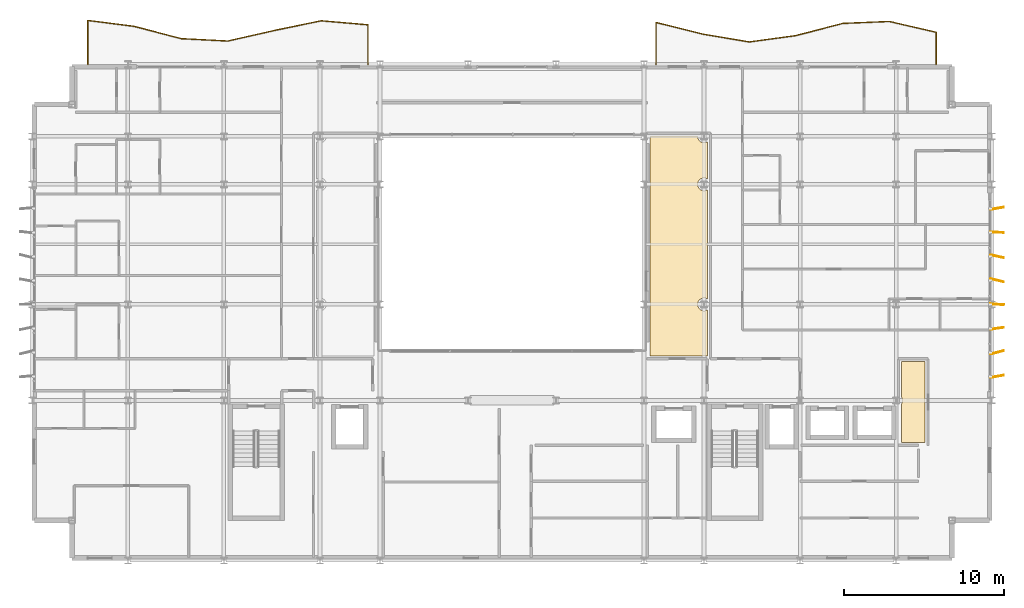
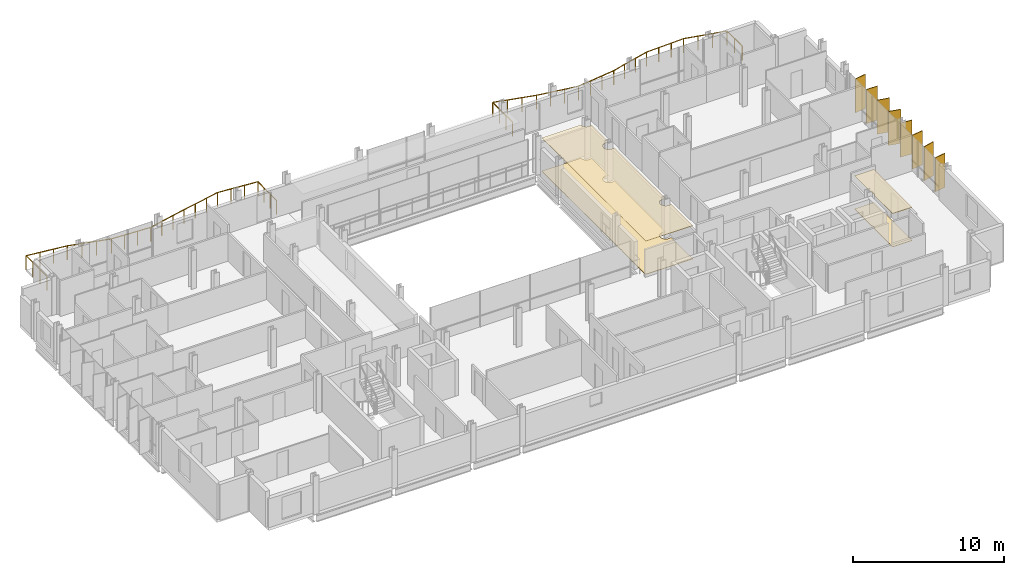
# One storey, part 39 of 39: 8 shading devices, 4 coverings, 2 railings.
"""IFC4 building model written with IfcOpenShell, lengths in metres."""

from ifc_helpers import new_model, si_unit, direction, frame, origin, origin_2d, place, context, subcontext, project, spatial, polyline, rectangle, circle, outline, extrude, material, layer, layer_set, type_object, element, save


model = new_model("IFC4")

# Units and contexts
model_context = context("Model", 3, precision=1e-05, world=origin(), true_north=direction((0.0, 1.0)))
body_context = subcontext(model_context, "Body", "Model", "MODEL_VIEW")
ifc_project = project(units=[si_unit("LENGTHUNIT", "METRE"), si_unit("AREAUNIT", "SQUARE_METRE"), si_unit("VOLUMEUNIT", "CUBIC_METRE"), si_unit("PLANEANGLEUNIT", "RADIAN"), si_unit("MASSUNIT", "GRAM", prefix="KILO")], contexts=[model_context])

# Site, building, storey
site_placement = place(None, origin())
site = spatial("IfcSite", under=ifc_project, at=site_placement, CompositionType="ELEMENT")
building_placement = place(site_placement, origin())
building = spatial("IfcBuilding", under=site, at=building_placement, Name="Brevholm Reach", CompositionType="ELEMENT")
storey_placement = place(building_placement, frame((0.0, 0.0, 154.199951171875)))
storey = spatial("IfcBuildingStorey", under=building, at=storey_placement, Name="L46", CompositionType="ELEMENT", Elevation=154.199951171875)

# Coverings
ifc_material_1 = material(Name="Moisture-Resistant Skimmed Gypsum Plasterboard Ceiling", Category="gypsum")
ifc_layer_1 = layer(ifc_material_1, 0.030029296875)
ifc_layer_set_1 = layer_set([ifc_layer_1], Name="Moisture-Resistant Skimmed Gypsum Plasterboard Ceiling")
covering_type_1 = type_object("IfcCoveringType", Name="COV-CLG-GYP", PredefinedType="CEILING", material=ifc_layer_set_1)
covering_1_placement = place(storey_placement, frame((0.0, 0.0, 2.679931640625)))
element("IfcCovering", 1, at=covering_1_placement, inside=storey, type_object=covering_type_1, Name="L46 Suspended Ceiling L46-25", PredefinedType="CEILING", context=body_context, shape_type="SweptSolid", body=[
    extrude(outline(polyline([(54.330078125, 9.7626953125), (54.33056640625, 9.764892578125), (54.33251953125, 9.777587890625), (54.33251953125, 9.77783203125), (54.352783203125, 9.811279296875), (54.36962890625, 9.846923828125), (54.3828125, 9.8837890625), (54.392333984375, 9.922119140625), (54.398193359375, 9.960693359375), (54.39990234375, 10.0), (54.398193359375, 10.039306640625), (54.392333984375, 10.077880859375), (54.3828125, 10.1162109375), (54.36962890625, 10.153076171875), (54.352783203125, 10.188720703125), (54.333984375, 10.219970703125), (54.333984375, 12.419921875), (55.81591796875, 12.419921875), (55.81591796875, 7.3798828125), (55.437255859375, 7.3798828125), (55.43505859375, 7.380615234375), (55.41748046875, 7.383056640625), (55.39990234375, 7.384033203125), (54.330078125, 7.384033203125), (54.330078125, 9.7626953125)])), origin(), (0.0, 0.0, 1.0), 0.030029296875),
])
covering_2_placement = place(storey_placement, frame((0.0, 0.0, 2.679931640625)))
element("IfcCovering", 2, at=covering_2_placement, inside=storey, type_object=covering_type_1, Name="L46 Suspended Ceiling L46-54", PredefinedType="CEILING", context=body_context, shape_type="SweptSolid", body=[
    extrude(outline(polyline([(38.6298828125, 15.876220703125), (38.6328125, 15.8837890625), (38.642333984375, 15.922119140625), (38.648193359375, 15.960693359375), (38.64990234375, 16.0), (38.648193359375, 16.039306640625), (38.642333984375, 16.077880859375), (38.6328125, 16.1162109375), (38.6298828125, 16.123779296875), (38.6298828125, 23.376220703125), (38.6328125, 23.3837890625), (38.642333984375, 23.422119140625), (38.648193359375, 23.460693359375), (38.64990234375, 23.5), (38.648193359375, 23.539306640625), (38.642333984375, 23.577880859375), (38.6328125, 23.6162109375), (38.6298828125, 23.623779296875), (38.6298828125, 26.376220703125), (38.6328125, 26.3837890625), (38.642333984375, 26.422119140625), (38.648193359375, 26.460693359375), (38.64990234375, 26.5), (38.649169921875, 26.51611328125), (41.600830078125, 26.51611328125), (41.60009765625, 26.5), (41.601806640625, 26.460693359375), (41.607666015625, 26.422119140625), (41.6171875, 26.3837890625), (41.63037109375, 26.346923828125), (41.647216796875, 26.311279296875), (41.66748046875, 26.27783203125), (41.69091796875, 26.24609375), (41.71728515625, 26.21728515625), (41.74609375, 26.19091796875), (41.77783203125, 26.16748046875), (41.811279296875, 26.147216796875), (41.846923828125, 26.13037109375), (41.8837890625, 26.1171875), (41.922119140625, 26.107666015625), (41.960693359375, 26.101806640625), (42.0, 26.10009765625), (42.039306640625, 26.101806640625), (42.077880859375, 26.107666015625), (42.1162109375, 26.1171875), (42.153076171875, 26.13037109375), (42.188720703125, 26.147216796875), (42.216064453125, 26.163818359375), (42.216064453125, 23.836181640625), (42.188720703125, 23.852783203125), (42.153076171875, 23.86962890625), (42.1162109375, 23.8828125), (42.077880859375, 23.892333984375), (42.039306640625, 23.898193359375), (42.0, 23.89990234375), (41.960693359375, 23.898193359375), (41.922119140625, 23.892333984375), (41.8837890625, 23.8828125), (41.846923828125, 23.86962890625), (41.811279296875, 23.852783203125), (41.77783203125, 23.83251953125), (41.74609375, 23.80908203125), (41.71728515625, 23.78271484375), (41.69091796875, 23.75390625), (41.66748046875, 23.72216796875), (41.647216796875, 23.688720703125), (41.63037109375, 23.653076171875), (41.6171875, 23.6162109375), (41.607666015625, 23.577880859375), (41.601806640625, 23.539306640625), (41.60009765625, 23.5), (41.601806640625, 23.460693359375), (41.607666015625, 23.422119140625), (41.6171875, 23.3837890625), (41.63037109375, 23.346923828125), (41.647216796875, 23.311279296875), (41.66748046875, 23.27783203125), (41.69091796875, 23.24609375), (41.71728515625, 23.21728515625), (41.74609375, 23.19091796875), (41.77783203125, 23.16748046875), (41.811279296875, 23.147216796875), (41.846923828125, 23.13037109375), (41.8837890625, 23.1171875), (41.922119140625, 23.107666015625), (41.960693359375, 23.101806640625), (42.0, 23.10009765625), (42.039306640625, 23.101806640625), (42.077880859375, 23.107666015625), (42.1162109375, 23.1171875), (42.153076171875, 23.13037109375), (42.188720703125, 23.147216796875), (42.216064453125, 23.163818359375), (42.216064453125, 16.336181640625), (42.188720703125, 16.352783203125), (42.153076171875, 16.36962890625), (42.1162109375, 16.3828125), (42.077880859375, 16.392333984375), (42.039306640625, 16.398193359375), (42.0, 16.39990234375), (41.960693359375, 16.398193359375), (41.922119140625, 16.392333984375), (41.8837890625, 16.3828125), (41.846923828125, 16.36962890625), (41.811279296875, 16.352783203125), (41.77783203125, 16.33251953125), (41.74609375, 16.30908203125), (41.71728515625, 16.28271484375), (41.69091796875, 16.25390625), (41.66748046875, 16.22216796875), (41.647216796875, 16.188720703125), (41.63037109375, 16.153076171875), (41.6171875, 16.1162109375), (41.607666015625, 16.077880859375), (41.601806640625, 16.039306640625), (41.60009765625, 16.0), (41.601806640625, 15.960693359375), (41.607666015625, 15.922119140625), (41.6171875, 15.8837890625), (41.63037109375, 15.846923828125), (41.647216796875, 15.811279296875), (41.66748046875, 15.77783203125), (41.69091796875, 15.74609375), (41.71728515625, 15.71728515625), (41.74609375, 15.69091796875), (41.77783203125, 15.66748046875), (41.811279296875, 15.647216796875), (41.846923828125, 15.63037109375), (41.8837890625, 15.6171875), (41.922119140625, 15.607666015625), (41.960693359375, 15.601806640625), (42.0, 15.60009765625), (42.039306640625, 15.601806640625), (42.077880859375, 15.607666015625), (42.1162109375, 15.6171875), (42.153076171875, 15.63037109375), (42.188720703125, 15.647216796875), (42.216064453125, 15.663818359375), (42.216064453125, 12.783935546875), (38.6298828125, 12.783935546875), (38.6298828125, 15.876220703125)])), origin(), (0.0, 0.0, 1.0), 0.030029296875),
])
ifc_material_2 = material(Name="Honed Portland-Aggregate Resin Terrazzo Flooring", Category="concrete")
ifc_layer_2 = layer(ifc_material_2, 0.031982421875)
ifc_layer_set_2 = layer_set([ifc_layer_2], Name="Honed Portland-Aggregate Resin Terrazzo Flooring")
covering_type_2 = type_object("IfcCoveringType", Name="COV-FLR-TRZ", PredefinedType="FLOORING", material=ifc_layer_set_2)
covering_3_placement = place(storey_placement, origin())
element("IfcCovering", 3, at=covering_3_placement, inside=storey, type_object=covering_type_2, Name="L46 Floor Finish L46-25", PredefinedType="FLOORING", context=body_context, shape_type="SweptSolid", body=[
    extrude(outline(polyline([(54.330078125, 9.7626953125), (54.33056640625, 9.764892578125), (54.33251953125, 9.777587890625), (54.33251953125, 9.77783203125), (54.352783203125, 9.811279296875), (54.36962890625, 9.846923828125), (54.3828125, 9.8837890625), (54.392333984375, 9.922119140625), (54.398193359375, 9.960693359375), (54.39990234375, 10.0), (54.398193359375, 10.039306640625), (54.392333984375, 10.077880859375), (54.3828125, 10.1162109375), (54.36962890625, 10.153076171875), (54.352783203125, 10.188720703125), (54.333984375, 10.219970703125), (54.333984375, 12.419921875), (55.81591796875, 12.419921875), (55.81591796875, 7.3798828125), (55.437255859375, 7.3798828125), (55.43505859375, 7.380615234375), (55.41748046875, 7.383056640625), (55.39990234375, 7.384033203125), (54.330078125, 7.384033203125), (54.330078125, 9.7626953125)])), origin(), (0.0, 0.0, 1.0), 0.031982421875),
])
covering_4_placement = place(storey_placement, origin())
element("IfcCovering", 4, at=covering_4_placement, inside=storey, type_object=covering_type_2, Name="L46 Floor Finish L46-54", PredefinedType="FLOORING", context=body_context, shape_type="SweptSolid", body=[
    extrude(outline(polyline([(38.6298828125, 15.876220703125), (38.6328125, 15.8837890625), (38.642333984375, 15.922119140625), (38.648193359375, 15.960693359375), (38.64990234375, 16.0), (38.648193359375, 16.039306640625), (38.642333984375, 16.077880859375), (38.6328125, 16.1162109375), (38.6298828125, 16.123779296875), (38.6298828125, 23.376220703125), (38.6328125, 23.3837890625), (38.642333984375, 23.422119140625), (38.648193359375, 23.460693359375), (38.64990234375, 23.5), (38.648193359375, 23.539306640625), (38.642333984375, 23.577880859375), (38.6328125, 23.6162109375), (38.6298828125, 23.623779296875), (38.6298828125, 26.376220703125), (38.6328125, 26.3837890625), (38.642333984375, 26.422119140625), (38.648193359375, 26.460693359375), (38.64990234375, 26.5), (38.649169921875, 26.51611328125), (41.600830078125, 26.51611328125), (41.60009765625, 26.5), (41.601806640625, 26.460693359375), (41.607666015625, 26.422119140625), (41.6171875, 26.3837890625), (41.63037109375, 26.346923828125), (41.647216796875, 26.311279296875), (41.66748046875, 26.27783203125), (41.69091796875, 26.24609375), (41.71728515625, 26.21728515625), (41.74609375, 26.19091796875), (41.77783203125, 26.16748046875), (41.811279296875, 26.147216796875), (41.846923828125, 26.13037109375), (41.8837890625, 26.1171875), (41.922119140625, 26.107666015625), (41.960693359375, 26.101806640625), (42.0, 26.10009765625), (42.039306640625, 26.101806640625), (42.077880859375, 26.107666015625), (42.1162109375, 26.1171875), (42.153076171875, 26.13037109375), (42.188720703125, 26.147216796875), (42.216064453125, 26.163818359375), (42.216064453125, 23.836181640625), (42.188720703125, 23.852783203125), (42.153076171875, 23.86962890625), (42.1162109375, 23.8828125), (42.077880859375, 23.892333984375), (42.039306640625, 23.898193359375), (42.0, 23.89990234375), (41.960693359375, 23.898193359375), (41.922119140625, 23.892333984375), (41.8837890625, 23.8828125), (41.846923828125, 23.86962890625), (41.811279296875, 23.852783203125), (41.77783203125, 23.83251953125), (41.74609375, 23.80908203125), (41.71728515625, 23.78271484375), (41.69091796875, 23.75390625), (41.66748046875, 23.72216796875), (41.647216796875, 23.688720703125), (41.63037109375, 23.653076171875), (41.6171875, 23.6162109375), (41.607666015625, 23.577880859375), (41.601806640625, 23.539306640625), (41.60009765625, 23.5), (41.601806640625, 23.460693359375), (41.607666015625, 23.422119140625), (41.6171875, 23.3837890625), (41.63037109375, 23.346923828125), (41.647216796875, 23.311279296875), (41.66748046875, 23.27783203125), (41.69091796875, 23.24609375), (41.71728515625, 23.21728515625), (41.74609375, 23.19091796875), (41.77783203125, 23.16748046875), (41.811279296875, 23.147216796875), (41.846923828125, 23.13037109375), (41.8837890625, 23.1171875), (41.922119140625, 23.107666015625), (41.960693359375, 23.101806640625), (42.0, 23.10009765625), (42.039306640625, 23.101806640625), (42.077880859375, 23.107666015625), (42.1162109375, 23.1171875), (42.153076171875, 23.13037109375), (42.188720703125, 23.147216796875), (42.216064453125, 23.163818359375), (42.216064453125, 16.336181640625), (42.188720703125, 16.352783203125), (42.153076171875, 16.36962890625), (42.1162109375, 16.3828125), (42.077880859375, 16.392333984375), (42.039306640625, 16.398193359375), (42.0, 16.39990234375), (41.960693359375, 16.398193359375), (41.922119140625, 16.392333984375), (41.8837890625, 16.3828125), (41.846923828125, 16.36962890625), (41.811279296875, 16.352783203125), (41.77783203125, 16.33251953125), (41.74609375, 16.30908203125), (41.71728515625, 16.28271484375), (41.69091796875, 16.25390625), (41.66748046875, 16.22216796875), (41.647216796875, 16.188720703125), (41.63037109375, 16.153076171875), (41.6171875, 16.1162109375), (41.607666015625, 16.077880859375), (41.601806640625, 16.039306640625), (41.60009765625, 16.0), (41.601806640625, 15.960693359375), (41.607666015625, 15.922119140625), (41.6171875, 15.8837890625), (41.63037109375, 15.846923828125), (41.647216796875, 15.811279296875), (41.66748046875, 15.77783203125), (41.69091796875, 15.74609375), (41.71728515625, 15.71728515625), (41.74609375, 15.69091796875), (41.77783203125, 15.66748046875), (41.811279296875, 15.647216796875), (41.846923828125, 15.63037109375), (41.8837890625, 15.6171875), (41.922119140625, 15.607666015625), (41.960693359375, 15.601806640625), (42.0, 15.60009765625), (42.039306640625, 15.601806640625), (42.077880859375, 15.607666015625), (42.1162109375, 15.6171875), (42.153076171875, 15.63037109375), (42.188720703125, 15.647216796875), (42.216064453125, 15.663818359375), (42.216064453125, 12.783935546875), (38.6298828125, 12.783935546875), (38.6298828125, 15.876220703125)])), origin(), (0.0, 0.0, 1.0), 0.031982421875),
])

# Railings
ifc_material_3 = material(Name="Brushed Stainless Steel EN 1.4401 and Laminated Glass", Category="steel")
railing_type = type_object("IfcRailingType", Name="RAL-BALC-1150", PredefinedType="BALUSTRADE", material=ifc_material_3)
railing_1_placement = place(storey_placement, frame((56.5, 31.0, 0.0)))
element("IfcRailing", 5, at=railing_1_placement, inside=storey, type_object=railing_type, Name="L46 Guard Balustrade RAL-L46-BAL-NE", PredefinedType="BALUSTRADE", context=body_context, shape_type="SweptSolid", body=[
    extrude(circle(Radius=0.02392578125, at=origin_2d()), frame((0.0, 0.0, 1.1259765625), z_axis=(0.0, 1.0, 0.0), x_axis=(-1.0, 0.0, 0.0)), (0.0, 0.0, 1.0), 2.00439453125),
    extrude(circle(Radius=0.02392578125, at=origin_2d()), frame((0.0, 2.00439453125, 1.1259765625), z_axis=(-0.974086615793, 0.226175296912, 0.0), x_axis=(-0.226175296912, -0.974086615793, 0.0)), (0.0, 0.0, 1.0), 2.994384765625),
    extrude(circle(Radius=0.02392578125, at=origin_2d()), frame((-2.916748046875, 2.681640625, 1.1259765625), z_axis=(-0.999139150441, -0.041484431493, 0.0), x_axis=(0.041484431493, -0.999139150441, 0.0)), (0.0, 0.0, 1.0), 2.9189453125),
    extrude(circle(Radius=0.02392578125, at=origin_2d()), frame((-5.833251953125, 2.560546875, 1.1259765625), z_axis=(-0.967688627029, -0.252148212601, 0.0), x_axis=(0.252148212601, -0.967688627029, 0.0)), (0.0, 0.0, 1.0), 3.01416015625),
    extrude(circle(Radius=0.02392578125, at=origin_2d()), frame((-8.75, 1.800537109375, 1.1259765625), z_axis=(-0.990776091279, -0.135509176626, 0.0), x_axis=(0.135509176626, -0.990776091279, 0.0)), (0.0, 0.0, 1.0), 2.94384765625),
    extrude(circle(Radius=0.02392578125, at=origin_2d()), frame((-11.666748046875, 1.401611328125, 1.1259765625), z_axis=(-0.986326897089, 0.164800643445, 0.0), x_axis=(-0.164800643445, -0.986326897089, 0.0)), (0.0, 0.0, 1.0), 2.95703125),
    extrude(circle(Radius=0.02392578125, at=origin_2d()), frame((-14.583251953125, 1.888916015625, 1.1259765625), z_axis=(-0.969908046993, 0.243471518618, 0.0), x_axis=(-0.243471518618, -0.969908046993, 0.0)), (0.0, 0.0, 1.0), 3.00732421875),
    extrude(circle(Radius=0.02392578125, at=origin_2d()), frame((-17.5, 2.62109375, 1.1259765625), z_axis=(0.0, -1.0, 0.0), x_axis=(1.0, 0.0, 0.0)), (0.0, 0.0, 1.0), 2.62109375),
    extrude(circle(Radius=0.02099609375, at=origin_2d()), origin(), (0.0, 0.0, 1.0), 1.101806640625),
    extrude(circle(Radius=0.02099609375, at=origin_2d()), frame((0.0, 1.002197265625, 0.0)), (0.0, 0.0, 1.0), 1.101806640625),
    extrude(circle(Radius=0.02099609375, at=origin_2d()), frame((0.0, 2.00439453125, 0.0)), (0.0, 0.0, 1.0), 1.101806640625),
    extrude(circle(Radius=0.02099609375, at=origin_2d()), frame((-0.97216796875, 2.230224609375, 0.0)), (0.0, 0.0, 1.0), 1.101806640625),
    extrude(circle(Radius=0.02099609375, at=origin_2d()), frame((-1.944580078125, 2.455810546875, 0.0)), (0.0, 0.0, 1.0), 1.101806640625),
    extrude(circle(Radius=0.02099609375, at=origin_2d()), frame((-2.916748046875, 2.681640625, 0.0)), (0.0, 0.0, 1.0), 1.101806640625),
    extrude(circle(Radius=0.02099609375, at=origin_2d()), frame((-3.888916015625, 2.641357421875, 0.0)), (0.0, 0.0, 1.0), 1.101806640625),
    extrude(circle(Radius=0.02099609375, at=origin_2d()), frame((-4.861083984375, 2.600830078125, 0.0)), (0.0, 0.0, 1.0), 1.101806640625),
    extrude(circle(Radius=0.02099609375, at=origin_2d()), frame((-5.833251953125, 2.560546875, 0.0)), (0.0, 0.0, 1.0), 1.101806640625),
    extrude(circle(Radius=0.02099609375, at=origin_2d()), frame((-6.805419921875, 2.30712890625, 0.0)), (0.0, 0.0, 1.0), 1.101806640625),
    extrude(circle(Radius=0.02099609375, at=origin_2d()), frame((-7.77783203125, 2.053955078125, 0.0)), (0.0, 0.0, 1.0), 1.101806640625),
    extrude(circle(Radius=0.02099609375, at=origin_2d()), frame((-8.75, 1.800537109375, 0.0)), (0.0, 0.0, 1.0), 1.101806640625),
    extrude(circle(Radius=0.02099609375, at=origin_2d()), frame((-9.72216796875, 1.66748046875, 0.0)), (0.0, 0.0, 1.0), 1.101806640625),
    extrude(circle(Radius=0.02099609375, at=origin_2d()), frame((-10.694580078125, 1.53466796875, 0.0)), (0.0, 0.0, 1.0), 1.101806640625),
    extrude(circle(Radius=0.02099609375, at=origin_2d()), frame((-11.666748046875, 1.401611328125, 0.0)), (0.0, 0.0, 1.0), 1.101806640625),
    extrude(circle(Radius=0.02099609375, at=origin_2d()), frame((-12.638916015625, 1.56396484375, 0.0)), (0.0, 0.0, 1.0), 1.101806640625),
    extrude(circle(Radius=0.02099609375, at=origin_2d()), frame((-13.611083984375, 1.7265625, 0.0)), (0.0, 0.0, 1.0), 1.101806640625),
    extrude(circle(Radius=0.02099609375, at=origin_2d()), frame((-14.583251953125, 1.888916015625, 0.0)), (0.0, 0.0, 1.0), 1.101806640625),
    extrude(circle(Radius=0.02099609375, at=origin_2d()), frame((-15.555419921875, 2.133056640625, 0.0)), (0.0, 0.0, 1.0), 1.101806640625),
    extrude(circle(Radius=0.02099609375, at=origin_2d()), frame((-16.52783203125, 2.376953125, 0.0)), (0.0, 0.0, 1.0), 1.101806640625),
    extrude(circle(Radius=0.02099609375, at=origin_2d()), frame((-17.5, 2.62109375, 0.0)), (0.0, 0.0, 1.0), 1.101806640625),
    extrude(circle(Radius=0.02099609375, at=origin_2d()), frame((-17.5, 1.747314453125, 0.0)), (0.0, 0.0, 1.0), 1.101806640625),
    extrude(circle(Radius=0.02099609375, at=origin_2d()), frame((-17.5, 0.873779296875, 0.0)), (0.0, 0.0, 1.0), 1.101806640625),
    extrude(circle(Radius=0.02099609375, at=origin_2d()), frame((-17.5, 0.0, 0.0)), (0.0, 0.0, 1.0), 1.101806640625),
])
railing_2_placement = place(storey_placement, frame((21.0, 31.0, 0.0)))
element("IfcRailing", 6, at=railing_2_placement, inside=storey, type_object=railing_type, Name="L46 Guard Balustrade RAL-L46-BAL-NW", PredefinedType="BALUSTRADE", context=body_context, shape_type="SweptSolid", body=[
    extrude(circle(Radius=0.02392578125, at=origin_2d()), frame((0.0, 0.0, 1.1259765625), z_axis=(0.0, 1.0, 0.0), x_axis=(-1.0, 0.0, 0.0)), (0.0, 0.0, 1.0), 2.4716796875),
    extrude(circle(Radius=0.02392578125, at=origin_2d()), frame((0.0, 2.4716796875, 1.1259765625), z_axis=(-0.996282713287, 0.086143805376, 0.0), x_axis=(-0.086143805376, -0.996282713287, 0.0)), (0.0, 0.0, 1.0), 2.927734375),
    extrude(circle(Radius=0.02392578125, at=origin_2d()), frame((-2.916748046875, 2.723876953125, 1.1259765625), z_axis=(-0.979367411888, -0.202087784221, 0.0), x_axis=(0.202087784221, -0.979367411888, 0.0)), (0.0, 0.0, 1.0), 2.97802734375),
    extrude(circle(Radius=0.02392578125, at=origin_2d()), frame((-5.833251953125, 2.1220703125, 1.1259765625), z_axis=(-0.975083925705, -0.221836286102, 0.0), x_axis=(0.221836286102, -0.975083925705, 0.0)), (0.0, 0.0, 1.0), 2.9912109375),
    extrude(circle(Radius=0.02392578125, at=origin_2d()), frame((-8.75, 1.45849609375, 1.1259765625), z_axis=(-0.998720239463, 0.050575520622, 0.0), x_axis=(-0.050575520622, -0.998720239463, 0.0)), (0.0, 0.0, 1.0), 2.92041015625),
    extrude(circle(Radius=0.02392578125, at=origin_2d()), frame((-11.666748046875, 1.606201171875, 1.1259765625), z_axis=(-0.967306983138, 0.25360836022, 0.0), x_axis=(-0.25360836022, -0.967306983138, 0.0)), (0.0, 0.0, 1.0), 3.01513671875),
    extrude(circle(Radius=0.02392578125, at=origin_2d()), frame((-14.583251953125, 2.370849609375, 1.1259765625), z_axis=(-0.991815212116, 0.12768157665, 0.0), x_axis=(-0.12768157665, -0.991815212116, 0.0)), (0.0, 0.0, 1.0), 2.94091796875),
    extrude(circle(Radius=0.02392578125, at=origin_2d()), frame((-17.5, 2.746337890625, 1.1259765625), z_axis=(0.0, -1.0, 0.0), x_axis=(1.0, 0.0, 0.0)), (0.0, 0.0, 1.0), 2.746337890625),
    extrude(circle(Radius=0.02099609375, at=origin_2d()), origin(), (0.0, 0.0, 1.0), 1.101806640625),
    extrude(circle(Radius=0.02099609375, at=origin_2d()), frame((0.0, 0.823974609375, 0.0)), (0.0, 0.0, 1.0), 1.101806640625),
    extrude(circle(Radius=0.02099609375, at=origin_2d()), frame((0.0, 1.647705078125, 0.0)), (0.0, 0.0, 1.0), 1.101806640625),
    extrude(circle(Radius=0.02099609375, at=origin_2d()), frame((0.0, 2.4716796875, 0.0)), (0.0, 0.0, 1.0), 1.101806640625),
    extrude(circle(Radius=0.02099609375, at=origin_2d()), frame((-0.97216796875, 2.5556640625, 0.0)), (0.0, 0.0, 1.0), 1.101806640625),
    extrude(circle(Radius=0.02099609375, at=origin_2d()), frame((-1.944580078125, 2.639892578125, 0.0)), (0.0, 0.0, 1.0), 1.101806640625),
    extrude(circle(Radius=0.02099609375, at=origin_2d()), frame((-2.916748046875, 2.723876953125, 0.0)), (0.0, 0.0, 1.0), 1.101806640625),
    extrude(circle(Radius=0.02099609375, at=origin_2d()), frame((-3.888916015625, 2.523193359375, 0.0)), (0.0, 0.0, 1.0), 1.101806640625),
    extrude(circle(Radius=0.02099609375, at=origin_2d()), frame((-4.861083984375, 2.32275390625, 0.0)), (0.0, 0.0, 1.0), 1.101806640625),
    extrude(circle(Radius=0.02099609375, at=origin_2d()), frame((-5.833251953125, 2.1220703125, 0.0)), (0.0, 0.0, 1.0), 1.101806640625),
    extrude(circle(Radius=0.02099609375, at=origin_2d()), frame((-6.805419921875, 1.90087890625, 0.0)), (0.0, 0.0, 1.0), 1.101806640625),
    extrude(circle(Radius=0.02099609375, at=origin_2d()), frame((-7.77783203125, 1.6796875, 0.0)), (0.0, 0.0, 1.0), 1.101806640625),
    extrude(circle(Radius=0.02099609375, at=origin_2d()), frame((-8.75, 1.45849609375, 0.0)), (0.0, 0.0, 1.0), 1.101806640625),
    extrude(circle(Radius=0.02099609375, at=origin_2d()), frame((-9.72216796875, 1.5078125, 0.0)), (0.0, 0.0, 1.0), 1.101806640625),
    extrude(circle(Radius=0.02099609375, at=origin_2d()), frame((-10.694580078125, 1.556884765625, 0.0)), (0.0, 0.0, 1.0), 1.101806640625),
    extrude(circle(Radius=0.02099609375, at=origin_2d()), frame((-11.666748046875, 1.606201171875, 0.0)), (0.0, 0.0, 1.0), 1.101806640625),
    extrude(circle(Radius=0.02099609375, at=origin_2d()), frame((-12.638916015625, 1.861083984375, 0.0)), (0.0, 0.0, 1.0), 1.101806640625),
    extrude(circle(Radius=0.02099609375, at=origin_2d()), frame((-13.611083984375, 2.115966796875, 0.0)), (0.0, 0.0, 1.0), 1.101806640625),
    extrude(circle(Radius=0.02099609375, at=origin_2d()), frame((-14.583251953125, 2.370849609375, 0.0)), (0.0, 0.0, 1.0), 1.101806640625),
    extrude(circle(Radius=0.02099609375, at=origin_2d()), frame((-15.555419921875, 2.49609375, 0.0)), (0.0, 0.0, 1.0), 1.101806640625),
    extrude(circle(Radius=0.02099609375, at=origin_2d()), frame((-16.52783203125, 2.62109375, 0.0)), (0.0, 0.0, 1.0), 1.101806640625),
    extrude(circle(Radius=0.02099609375, at=origin_2d()), frame((-17.5, 2.746337890625, 0.0)), (0.0, 0.0, 1.0), 1.101806640625),
    extrude(circle(Radius=0.02099609375, at=origin_2d()), frame((-17.5, 1.830810546875, 0.0)), (0.0, 0.0, 1.0), 1.101806640625),
    extrude(circle(Radius=0.02099609375, at=origin_2d()), frame((-17.5, 0.91552734375, 0.0)), (0.0, 0.0, 1.0), 1.101806640625),
    extrude(circle(Radius=0.02099609375, at=origin_2d()), frame((-17.5, 0.0, 0.0)), (0.0, 0.0, 1.0), 1.101806640625),
])

# Shading devices
ifc_material_4 = material(Name="Perforated Champagne-Bronze Anodised Aluminium", Category="aluminium")
ifc_layer_3 = layer(ifc_material_4, 0.054931640625)
ifc_layer_set_3 = layer_set([ifc_layer_3], Name="Perforated Champagne-Bronze Anodised Aluminium")
shading_device_type = type_object("IfcShadingDeviceType", Name="SHD-FIN-850", PredefinedType="USERDEFINED", material=ifc_layer_set_3)
for number, where, z_axis, x_axis, name in (
    (7, (60.31494140625, 11.5, 0.06982421875), (0.0, 0.0, 1.0), (0.986397717386, 0.164376224364, 0.0), "L46 Perforated Solar Screen Fin 1"),
    (8, (60.31494140625, 13.0, 0.06982421875), (0.0, 0.0, 1.0), (0.97043490234, 0.241363005285, 0.0), "L46 Perforated Solar Screen Fin 2"),
    (9, (60.31494140625, 14.5, 0.06982421875), (0.0, 0.0, 1.0), (0.990377069605, 0.138395303393, 0.0), "L46 Perforated Solar Screen Fin 3"),
    (10, (60.31494140625, 16.0, 0.06982421875), (0.0, 0.0, 1.0), (0.997506493069, -0.07057475671, 0.0), "L46 Perforated Solar Screen Fin 4"),
    (11, (60.31494140625, 17.5, 0.06982421875), (0.0, 0.0, 1.0), (0.974362211919, -0.224985066138, 0.0), "L46 Perforated Solar Screen Fin 5"),
    (12, (60.31494140625, 19.0, 0.06982421875), (0.0, 0.0, 1.0), (0.977541124845, -0.210744749014, 0.0), "L46 Perforated Solar Screen Fin 6"),
    (13, (60.31494140625, 20.5, 0.06982421875), (0.0, 0.0, 1.0), (0.999283539952, -0.037847150228, 0.0), "L46 Perforated Solar Screen Fin 7"),
    (14, (60.31494140625, 22.0, 0.06982421875), (0.0, 0.0, 1.0), (0.986397717386, 0.164376224364, 0.0), "L46 Perforated Solar Screen Fin 8"),
):
    element("IfcShadingDevice", number, at=place(storey_placement, frame(where, z_axis=z_axis, x_axis=x_axis)), inside=storey, type_object=shading_device_type, Name=name, ObjectType="SCREEN", PredefinedType="USERDEFINED", context=body_context, shape_type="SweptSolid", body=[
        extrude(rectangle(XDim=0.85009765625, YDim=0.054931640625, at=origin_2d()), origin(), (0.0, 0.0, 1.0), 2.739990234375),
    ])

save(model, "model.ifc")
